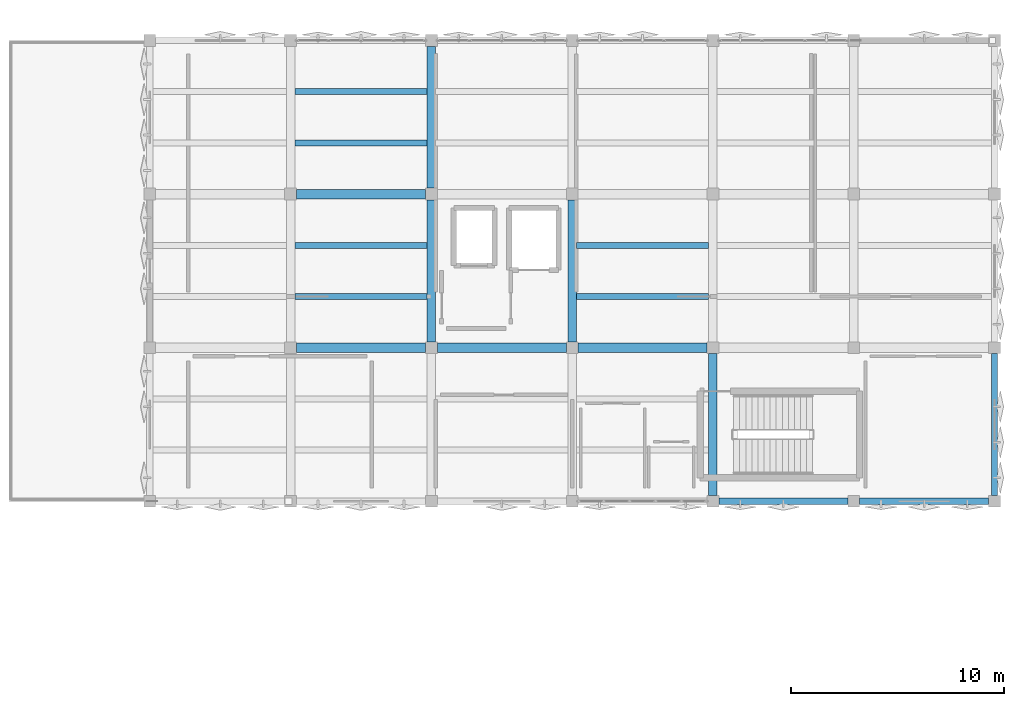
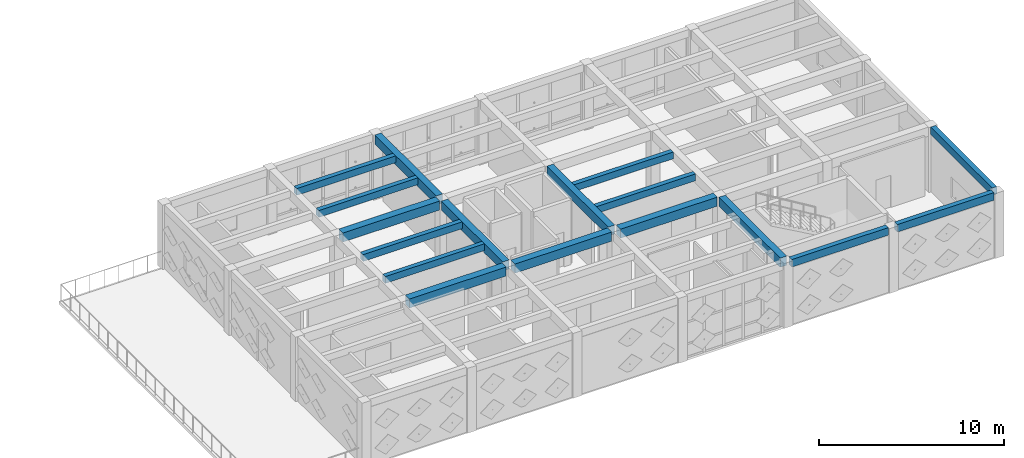
# One storey, part 15 of 39: 17 beams.
"""IFC4 building model written with IfcOpenShell, lengths in metres."""

from ifc_helpers import new_model, si_unit, direction, frame, origin, origin_2d, place, context, subcontext, project, spatial, rectangle, extrude, material, material_profile, profile_set, type_object, element, save


model = new_model("IFC4")

# Units and contexts
model_context = context("Model", 3, precision=1e-05, world=origin(), true_north=direction((0.0, 1.0)))
body_context = subcontext(model_context, "Body", "Model", "MODEL_VIEW")
ifc_project = project(units=[si_unit("LENGTHUNIT", "METRE"), si_unit("AREAUNIT", "SQUARE_METRE"), si_unit("VOLUMEUNIT", "CUBIC_METRE"), si_unit("PLANEANGLEUNIT", "RADIAN"), si_unit("MASSUNIT", "GRAM", prefix="KILO")], contexts=[model_context])

# Site, building, storey
site_placement = place(None, origin())
site = spatial("IfcSite", under=ifc_project, at=site_placement, CompositionType="ELEMENT")
building_placement = place(site_placement, origin())
building = spatial("IfcBuilding", under=site, at=building_placement, Name="Kharisveld Research Institute", CompositionType="ELEMENT")
storey_placement = place(building_placement, frame((0.0, 0.0, 23.10009765625)))
storey = spatial("IfcBuildingStorey", under=building, at=storey_placement, Name="L05", CompositionType="ELEMENT", Elevation=23.10009765625)

# Beams
ifc_material_1 = material(Name="Concrete C40/50", Category="concrete")
ifc_material_profile_1 = material_profile(ifc_material_1, rectangle(XDim=0.39990234375, YDim=0.60009765625, at=origin_2d()))
ifc_profile_set_1 = profile_set([ifc_material_profile_1], Name="Concrete C40/50")
beam_type_1 = type_object("IfcBeamType", Name="BM_RC_400x600", PredefinedType="BEAM", material=ifc_profile_set_1)
for number, where, z_axis, x_axis, name in (
    (1, (134.39990234375, 46.675048828125, 3.989990234375), (0.0, 1.0, 0.0), (-1.0, 0.0, 0.0), "BM:V2:L05:V3_1"),
    (2, (134.39990234375, 53.875, 3.989990234375), (0.0, 1.0, 0.0), (-1.0, 0.0, 0.0), "BM:V2:L05:V3_2"),
    (3, (141.0, 46.675048828125, 3.989990234375), (0.0, 1.0, 0.0), (-1.0, 0.0, 0.0), "BM:V2:L05:V4_1"),
    (4, (147.60009765625, 39.47509765625, 3.989990234375), (0.0, 1.0, 0.0), (-1.0, 0.0, 0.0), "BM:V2:L05:V5_0"),
):
    element("IfcBeam", number, at=place(storey_placement, frame(where, z_axis=z_axis, x_axis=x_axis)), inside=storey, type_object=beam_type_1, Name=name, PredefinedType="BEAM", context=body_context, shape_type="SweptSolid", body=[
        extrude(rectangle(XDim=0.39990234375, YDim=0.60009765625, at=origin_2d()), origin(), (0.0, 0.0, 1.0), 6.64990234375),
    ])
ifc_material_2 = material(Name="Concrete C40/50", Category="concrete")
ifc_material_profile_2 = material_profile(ifc_material_2, rectangle(XDim=0.449951171875, YDim=0.60009765625, at=origin_2d()))
ifc_profile_set_2 = profile_set([ifc_material_profile_2], Name="Concrete C40/50")
beam_type_2 = type_object("IfcBeamType", Name="BM_RC_450x600", PredefinedType="BEAM", material=ifc_profile_set_2)
for number, where, z_axis, x_axis, name in (
    (5, (128.074951171875, 46.39990234375, 3.989990234375), (1.0, 0.0, 0.0), (0.0, 1.0, 0.0), "BM:V2:L05:U2_1"),
    (6, (134.675048828125, 46.39990234375, 3.989990234375), (1.0, 0.0, 0.0), (0.0, 1.0, 0.0), "BM:V2:L05:U3_1"),
    (7, (141.27490234375, 46.39990234375, 3.989990234375), (1.0, 0.0, 0.0), (0.0, 1.0, 0.0), "BM:V2:L05:U4_1"),
    (8, (128.074951171875, 53.60009765625, 3.989990234375), (1.0, 0.0, 0.0), (0.0, 1.0, 0.0), "BM:V2:L05:U2_2"),
):
    element("IfcBeam", number, at=place(storey_placement, frame(where, z_axis=z_axis, x_axis=x_axis)), inside=storey, type_object=beam_type_2, Name=name, PredefinedType="BEAM", context=body_context, shape_type="SweptSolid", body=[
        extrude(rectangle(XDim=0.449951171875, YDim=0.60009765625, at=origin_2d()), origin(), (0.0, 0.0, 1.0), 6.050048828125),
    ])
ifc_material_3 = material(Name="Concrete C40/50", Category="concrete")
ifc_material_profile_3 = material_profile(ifc_material_3, rectangle(XDim=0.300048828125, YDim=0.5, at=origin_2d()))
ifc_profile_set_3 = profile_set([ifc_material_profile_3], Name="Concrete C40/50")
beam_type_3 = type_object("IfcBeamType", Name="SP_RC_300x500", PredefinedType="SPANDREL", material=ifc_profile_set_3)
beam_1_placement = place(storey_placement, frame((147.875, 39.199951171875, 4.039794921875), z_axis=(1.0, 0.0, 0.0), x_axis=(0.0, 1.0, 0.0)))
element("IfcBeam", 9, at=beam_1_placement, inside=storey, type_object=beam_type_3, Name="BM:V2:L05:U5_0", PredefinedType="SPANDREL", context=body_context, shape_type="SweptSolid", body=[
    extrude(rectangle(XDim=0.300048828125, YDim=0.5, at=origin_2d()), origin(), (0.0, 0.0, 1.0), 6.050048828125),
])
beam_2_placement = place(storey_placement, frame((154.47509765625, 39.199951171875, 4.039794921875), z_axis=(1.0, 0.0, 0.0), x_axis=(0.0, 1.0, 0.0)))
element("IfcBeam", 10, at=beam_2_placement, inside=storey, type_object=beam_type_3, Name="BM:V2:L05:U6_0", PredefinedType="SPANDREL", context=body_context, shape_type="SweptSolid", body=[
    extrude(rectangle(XDim=0.300048828125, YDim=0.5, at=origin_2d()), origin(), (0.0, 0.0, 1.0), 6.0498046875),
])
beam_3_placement = place(storey_placement, frame((160.800048828125, 39.47509765625, 4.039794921875), z_axis=(0.0, 1.0, 0.0), x_axis=(-1.0, 0.0, 0.0)))
element("IfcBeam", 11, at=beam_3_placement, inside=storey, type_object=beam_type_3, Name="BM:V2:L05:V7_0", PredefinedType="SPANDREL", context=body_context, shape_type="SweptSolid", body=[
    extrude(rectangle(XDim=0.300048828125, YDim=0.5, at=origin_2d()), origin(), (0.0, 0.0, 1.0), 6.64990234375),
])
ifc_material_4 = material(Name="Concrete C40/50", Category="concrete")
ifc_material_profile_4 = material_profile(ifc_material_4, rectangle(XDim=0.280029296875, YDim=0.449951171875, at=origin_2d()))
ifc_profile_set_4 = profile_set([ifc_material_profile_4], Name="Concrete C40/50")
beam_type_4 = type_object("IfcBeamType", Name="WB_RC_280x450", PredefinedType="JOIST", material=ifc_profile_set_4)
for number, where, z_axis, x_axis, name in (
    (12, (128.0, 48.800048828125, 4.06494140625), (1.0, 0.0, 0.0), (0.0, 1.0, 0.0), "BM:V2:L05:J_2_1_R1"),
    (13, (128.0, 51.199951171875, 4.06494140625), (1.0, 0.0, 0.0), (0.0, 1.0, 0.0), "BM:V2:L05:J_2_1_R2"),
    (14, (128.0, 56.0, 4.06494140625), (1.0, 0.0, 0.0), (0.0, 1.0, 0.0), "BM:V2:L05:J_2_2_R1"),
    (15, (128.0, 58.39990234375, 4.06494140625), (1.0, 0.0, 0.0), (0.0, 1.0, 0.0), "BM:V2:L05:J_2_2_R2"),
    (16, (141.199951171875, 48.800048828125, 4.06494140625), (1.0, 0.0, 0.0), (0.0, 1.0, 0.0), "BM:V2:L05:J_4_1_R1"),
    (17, (141.199951171875, 51.199951171875, 4.06494140625), (1.0, 0.0, 0.0), (0.0, 1.0, 0.0), "BM:V2:L05:J_4_1_R2"),
):
    element("IfcBeam", number, at=place(storey_placement, frame(where, z_axis=z_axis, x_axis=x_axis)), inside=storey, type_object=beam_type_4, Name=name, PredefinedType="JOIST", context=body_context, shape_type="SweptSolid", body=[
        extrude(rectangle(XDim=0.280029296875, YDim=0.449951171875, at=origin_2d()), origin(), (0.0, 0.0, 1.0), 6.199951171875),
    ])

save(model, "model.ifc")
